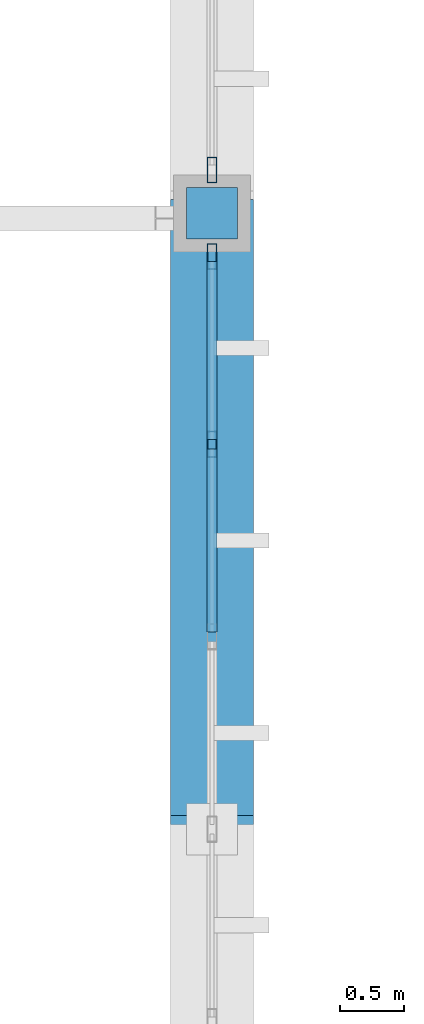
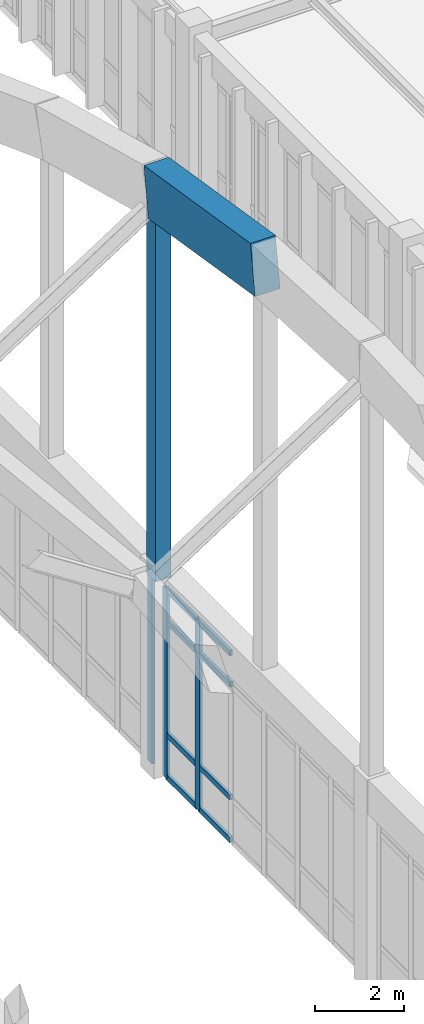
# One storey, part 152 of 236: 13 members, 2 elements without a shape of their own.
"""IFC4 building model written with IfcOpenShell, lengths in metres."""

import ifcopenshell
import ifcopenshell.guid

model = None  # the IFC model being written
_history = None  # IfcOwnerHistory: only IFC2X3 demands one
_inside = {}  # id of a spatial element -> (the spatial element, [elements in it])
_under = {}  # id of a project, library or spatial element -> (it, [spatial elements below it])
_declared = {}  # id of a project -> (the project, [libraries it declares])
_typed = {}  # id of a type object -> (the type object, [elements of that type])
_made_of = {}  # id of a material, layer set ... -> (it, [elements and type objects made of it])


def new_model(schema):
    """Start an empty IFC model of exactly this schema.

    Asked for "IFC4X3", IfcOpenShell would pick the latest addendum, in which some entities
    have other attributes; the version numbers below select the first issue.
    IFC2X3 requires an IfcOwnerHistory on every rooted entity: one is made here for all.
    """
    global model, _history
    if schema == "IFC4X3":
        model = ifcopenshell.file(schema_version=(4, 3, 0, 0))
    else:
        model = ifcopenshell.file(schema=schema)
    _inside.clear()
    _under.clear()
    _declared.clear()
    _typed.clear()
    _made_of.clear()
    _history = None
    if model.schema == "IFC2X3":
        org = make("IfcOrganization", Name="unknown")
        user = make(
            "IfcPersonAndOrganization",
            ThePerson=make("IfcPerson", FamilyName="unknown"),
            TheOrganization=org,
        )
        app = make(
            "IfcApplication",
            ApplicationDeveloper=org,
            Version="unknown",
            ApplicationFullName="unknown",
            ApplicationIdentifier="unknown",
        )
        _history = make(
            "IfcOwnerHistory",
            OwningUser=user,
            OwningApplication=app,
            ChangeAction="ADDED",
            CreationDate=0,
        )
    return model


def make(cls, **values):
    """One entity of the class cls with the attributes given. An attribute that is None is left unset."""
    return model.create_entity(
        cls, **{name: value for name, value in values.items() if value is not None}
    )


def rooted(cls, **values):
    """An entity with a GlobalId (a new one), such as an element, a storey or a relation."""
    return make(cls, GlobalId=ifcopenshell.guid.new(), OwnerHistory=_history, **values)


def si_unit(unit_type, name, prefix=None):
    """IfcSIUnit, for example si_unit("LENGTHUNIT", "METRE", prefix="MILLI")."""
    return make("IfcSIUnit", UnitType=unit_type, Prefix=prefix, Name=name)


def assignment(units):
    """IfcUnitAssignment: the units of a project."""
    return None if units is None else make("IfcUnitAssignment", Units=units)


def point(xyz):
    """IfcCartesianPoint."""
    return None if xyz is None else make("IfcCartesianPoint", Coordinates=xyz)


def direction(xyz):
    """IfcDirection."""
    return None if xyz is None else make("IfcDirection", DirectionRatios=xyz)


def frame(location, z_axis=None, x_axis=None):
    """IfcAxis2Placement3D, a coordinate frame: its origin and axes. An axis left out is left unset."""
    return make(
        "IfcAxis2Placement3D",
        Location=point(location),
        Axis=direction(z_axis),
        RefDirection=direction(x_axis),
    )


def frame_2d(location, x_axis=None):
    """IfcAxis2Placement2D, a coordinate frame in the plane: its origin and x axis."""
    return make(
        "IfcAxis2Placement2D", Location=point(location), RefDirection=direction(x_axis)
    )


def origin():
    """The frame at (0, 0, 0) with its axes left unset."""
    return frame((0.0, 0.0, 0.0))


def origin_2d():
    """The frame at (0, 0) in the plane with its x axis left unset."""
    return frame_2d((0.0, 0.0))


def place(relative_to, where):
    """IfcLocalPlacement: puts the frame where relative to a parent placement (None: the world)."""
    return make(
        "IfcLocalPlacement", PlacementRelTo=relative_to, RelativePlacement=where
    )


def context(
    kind, dimensions, precision=None, world=None, true_north=None, identifier=None
):
    """IfcGeometricRepresentationContext, for example the 3D "Model" context."""
    return make(
        "IfcGeometricRepresentationContext",
        ContextIdentifier=identifier,
        ContextType=kind,
        CoordinateSpaceDimension=dimensions,
        Precision=precision,
        WorldCoordinateSystem=world,
        TrueNorth=true_north,
    )


def subcontext(parent, identifier, kind, view, scale=None):
    """IfcGeometricRepresentationSubContext, for example "Body" below "Model"."""
    return make(
        "IfcGeometricRepresentationSubContext",
        ContextIdentifier=identifier,
        ContextType=kind,
        ParentContext=parent,
        TargetScale=scale,
        TargetView=view,
    )


def project(units=None, contexts=None):
    """IfcProject with its units and contexts."""
    return rooted(
        "IfcProject",
        Name="project",
        RepresentationContexts=contexts,
        UnitsInContext=assignment(units),
    )


def spatial(cls, under=None, at=None, **own):
    """A site, building, storey or space (cls), placed at a placement, below another one or the project."""
    s = rooted(cls, ObjectPlacement=at, **own)
    if under is not None:
        _under.setdefault(under.id(), (under, []))[1].append(s)
    return s


def profile(cls, at=None, kind="AREA", **sizes):
    """A parametric profile (cls). Its sizes go by their IFC names, for example OverallWidth=200.0."""
    return make(cls, ProfileType=kind, Position=at, **sizes)


def rectangle(**sizes):
    """IfcRectangleProfileDef."""
    return profile("IfcRectangleProfileDef", **sizes)


def hollow_rectangle(**sizes):
    """IfcRectangleHollowProfileDef."""
    return profile("IfcRectangleHollowProfileDef", **sizes)


def extrude(swept, where, along, depth):
    """IfcExtrudedAreaSolid: the profile swept, set in the frame where, extruded along a direction by depth."""
    return make(
        "IfcExtrudedAreaSolid",
        SweptArea=swept,
        Position=where,
        ExtrudedDirection=direction(along),
        Depth=depth,
    )


def shape(context_of_items, identifier, shape_type, items):
    """IfcShapeRepresentation: the items that make up one representation, for example the "Body"."""
    return make(
        "IfcShapeRepresentation",
        ContextOfItems=context_of_items,
        RepresentationIdentifier=identifier,
        RepresentationType=shape_type,
        Items=items,
    )


def material(Name=None, Category=None):
    """IfcMaterial."""
    return make("IfcMaterial", Name=Name, Category=Category)


def layer(
    of_material, thickness, ventilated=None, Name=None, Category=None, Priority=None
):
    """IfcMaterialLayer: one layer of a wall or slab, of a material (None: an air gap)."""
    return make(
        "IfcMaterialLayer",
        Material=of_material,
        LayerThickness=thickness,
        IsVentilated=ventilated,
        Name=Name,
        Category=Category,
        Priority=Priority,
    )


def layer_set(layers, Name=None):
    """IfcMaterialLayerSet."""
    return make("IfcMaterialLayerSet", MaterialLayers=layers, LayerSetName=Name)


def material_profile(
    of_material, cross_section, Name=None, Category=None, Priority=None
):
    """IfcMaterialProfile: a cross section and its material."""
    return make(
        "IfcMaterialProfile",
        Name=Name,
        Material=of_material,
        Profile=cross_section,
        Priority=Priority,
        Category=Category,
    )


def profile_set(profiles, Name=None, composite=None):
    """IfcMaterialProfileSet."""
    return make(
        "IfcMaterialProfileSet",
        Name=Name,
        MaterialProfiles=profiles,
        CompositeProfile=composite,
    )


def made_of(thing, what):
    """Note that an element or type object is made of a material, layer set ...; save() writes the relation."""
    if what is not None:
        _made_of.setdefault(what.id(), (what, []))[1].append(thing)
    return thing


def type_object(cls, material=None, **own):
    """A type object (cls), such as IfcWallType, which elements share."""
    return made_of(rooted(cls, **own), material)


def element(
    cls,
    number,
    at=None,
    inside=None,
    cuts=None,
    type_object=None,
    material=None,
    context=None,
    identifier="Body",
    shape_type=None,
    held_by="IfcProductDefinitionShape",
    body=None,
    shapes=None,
    **own,
):
    """One element of the class cls, such as IfcWall. Its Tag is "e" and its number.

    at: its placement. inside: the storey or other place that contains it. cuts: it is an
    opening in that element (IfcRelVoidsElement). A single representation is given by context,
    identifier, shape_type and body (its items); several are given by shapes. held_by: the class
    of the entity that holds the representations. save() writes the other relations.
    """
    e = rooted(cls, Tag="e%d" % number, ObjectPlacement=at, **own)
    if body is not None:
        shapes = [shape(context, identifier, shape_type, body)]
    if shapes is not None:
        e.Representation = make(held_by, Representations=shapes)
    if inside is not None:
        _inside.setdefault(inside.id(), (inside, []))[1].append(e)
    if cuts is not None:
        rooted(
            "IfcRelVoidsElement", RelatingBuildingElement=cuts, RelatedOpeningElement=e
        )
    if type_object is not None:
        _typed.setdefault(type_object.id(), (type_object, []))[1].append(e)
    return made_of(e, material)


def aggregate(whole, parts):
    """IfcRelAggregates: a whole, such as a stair, and the parts it consists of."""
    return rooted("IfcRelAggregates", RelatingObject=whole, RelatedObjects=parts)


def save(model, path):
    """Write the relations noted so far, then the file.

    IfcRelAggregates (storeys below a building ...), IfcRelContainedInSpatialStructure (elements
    in a storey), IfcRelDefinesByType, IfcRelAssociatesMaterial and IfcRelDeclares: one each for
    every whole, place, type object, material and project.
    """
    for whole, parts in _under.values():
        aggregate(whole, parts)
    for where, things in _inside.values():
        rooted(
            "IfcRelContainedInSpatialStructure",
            RelatedElements=things,
            RelatingStructure=where,
        )
    for kind, things in _typed.values():
        rooted("IfcRelDefinesByType", RelatedObjects=things, RelatingType=kind)
    for what, things in _made_of.values():
        rooted("IfcRelAssociatesMaterial", RelatedObjects=things, RelatingMaterial=what)
    for by, libraries in _declared.values():
        rooted("IfcRelDeclares", RelatingContext=by, RelatedDefinitions=libraries)
    model.write(path)


model = new_model("IFC4")

# Units and contexts
model_context = context("Model", 3, precision=1e-05, world=origin(), true_north=direction((0.0, 1.0)))
body_context = subcontext(model_context, "Body", "Model", "MODEL_VIEW")
ifc_project = project(units=[si_unit("LENGTHUNIT", "METRE"), si_unit("AREAUNIT", "SQUARE_METRE"), si_unit("VOLUMEUNIT", "CUBIC_METRE"), si_unit("PLANEANGLEUNIT", "RADIAN"), si_unit("MASSUNIT", "GRAM", prefix="KILO")], contexts=[model_context])

# Site, building, storey
site_placement = place(None, origin())
site = spatial("IfcSite", under=ifc_project, at=site_placement, CompositionType="ELEMENT")
building_placement = place(site_placement, origin())
building = spatial("IfcBuilding", under=site, at=building_placement, Name="Pandanus Reach Market Hall", CompositionType="ELEMENT")
storey_placement = place(building_placement, frame((0.0, 0.0, 5.39990234375)))
storey = spatial("IfcBuildingStorey", under=building, at=storey_placement, Name="L01", CompositionType="ELEMENT", Elevation=5.39990234375)

# Members
ifc_material_1 = material(Name="Concrete N50 (50 MPa)", Category="concrete")
ifc_material_profile_1 = material_profile(ifc_material_1, rectangle(XDim=0.64990234375, YDim=1.35009765625, at=origin_2d()), Name="RC650x1350", Category="LoadBearing")
ifc_profile_set_1 = profile_set([ifc_material_profile_1], Name="Concrete N50 (50 MPa)")
member_type_1 = type_object("IfcMemberType", Name="AR-RC650-E", PredefinedType="CHORD", material=ifc_profile_set_1)
member_1_placement = place(storey_placement, frame((132.0, 62.39990234375, 16.724609375), z_axis=(0.0, 0.987485724156, -0.15770841635), x_axis=(-1.0, 0.0, 0.0)))
element("IfcMember", 1, at=member_1_placement, inside=storey, type_object=member_type_1, Name="Parabolic arch top chord A8.8", PredefinedType="CHORD", context=body_context, shape_type="SweptSolid", body=[
    extrude(rectangle(XDim=0.64990234375, YDim=1.35009765625, at=origin_2d()), origin(), (0.0, 0.0, 1.0), 4.86083984375),
])
ifc_material_profile_2 = material_profile(ifc_material_1, rectangle(XDim=0.39990234375, YDim=0.39990234375, at=origin_2d()), Name="RC400x400", Category="LoadBearing")
ifc_profile_set_2 = profile_set([ifc_material_profile_2], Name="Concrete N50 (50 MPa)")
member_type_2 = type_object("IfcMemberType", Name="AR-WEB400-E", PredefinedType="STRUT", material=ifc_profile_set_2)
member_2_placement = place(storey_placement, frame((132.0, 67.199951171875, 5.3251953125), z_axis=(0.0, 0.0, 1.0), x_axis=(1.0, 0.0, 0.0)))
element("IfcMember", 2, at=member_2_placement, inside=storey, type_object=member_type_2, Name="Arch truss vertical web strut A8.8", PredefinedType="STRUT", context=body_context, shape_type="SweptSolid", body=[
    extrude(rectangle(XDim=0.39990234375, YDim=0.39990234375, at=origin_2d()), origin(), (0.0, 0.0, 1.0), 10.6328125),
])

# Curtain wall, members
ifc_material_2 = material(Name="Bronze anodised aluminium and low-E glass", Category="aluminium")
ifc_layer = layer(ifc_material_2, 0.199951171875, Name="CW-05")
ifc_layer_set = layer_set([ifc_layer], Name="Bronze anodised aluminium and low-E glass")
curtain_wall_type = type_object("IfcCurtainWallType", Name="CW-05", PredefinedType="NOTDEFINED", material=ifc_layer_set)
curtain_wall_1_placement = place(storey_placement, origin())
curtain_wall_1 = element("IfcCurtainWall", 3, at=curtain_wall_1_placement, inside=storey, type_object=curtain_wall_type, Name="Glazed curtain wall CW-05 CW-0031", PredefinedType="NOTDEFINED")
ifc_material_3 = material(Name="Bronze anodised aluminium", Category="aluminium")
ifc_material_profile_3 = material_profile(ifc_material_3, hollow_rectangle(XDim=0.074951171875, YDim=0.199951171875, WallThickness=0.00439453125, at=origin_2d()), Name="ALU75x200", Category="LoadBearing")
ifc_profile_set_3 = profile_set([ifc_material_profile_3], Name="Bronze anodised aluminium")
member_type_3 = type_object("IfcMemberType", Name="CW-M2", PredefinedType="MULLION", material=ifc_profile_set_3)
member_3_placement = place(storey_placement, frame((132.0, 65.39990234375, 0.0), z_axis=(0.0, 0.0, 1.0), x_axis=(-1.0, 0.0, 0.0)))
member_3 = element("IfcMember", 4, at=member_3_placement, type_object=member_type_3, Name="CW-05 mullion 6", PredefinedType="MULLION", context=body_context, shape_type="SweptSolid", body=[
    extrude(hollow_rectangle(XDim=0.074951171875, YDim=0.199951171875, WallThickness=0.00439453125, at=origin_2d()), origin(), (0.0, 0.0, 1.0), 5.2001953125),
])
member_4_placement = place(storey_placement, frame((132.0, 66.862548828125, 0.0), z_axis=(0.0, 0.0, 1.0), x_axis=(-1.0, 0.0, 0.0)))
member_4 = element("IfcMember", 5, at=member_4_placement, type_object=member_type_3, Name="CW-05 mullion 7", PredefinedType="MULLION", context=body_context, shape_type="SweptSolid", body=[
    extrude(hollow_rectangle(XDim=0.074951171875, YDim=0.199951171875, WallThickness=0.00439453125, at=origin_2d()), origin(), (0.0, 0.0, 1.0), 5.2001953125),
])

# Curtain wall, member
curtain_wall_2_placement = place(storey_placement, origin())
curtain_wall_2 = element("IfcCurtainWall", 6, at=curtain_wall_2_placement, inside=storey, type_object=curtain_wall_type, Name="Glazed curtain wall CW-05 CW-0033", PredefinedType="NOTDEFINED")
member_5_placement = place(storey_placement, frame((132.0, 67.53759765625, 0.0), z_axis=(0.0, 0.0, 1.0), x_axis=(-1.0, 0.0, 0.0)))
member_5 = element("IfcMember", 7, at=member_5_placement, type_object=member_type_3, Name="CW-05 mullion 1", PredefinedType="MULLION", context=body_context, shape_type="SweptSolid", body=[
    extrude(hollow_rectangle(XDim=0.074951171875, YDim=0.199951171875, WallThickness=0.00439453125, at=origin_2d()), origin(), (0.0, 0.0, 1.0), 5.2001953125),
])
aggregate(curtain_wall_2, [member_5])

# Member
ifc_material_profile_4 = material_profile(ifc_material_3, hollow_rectangle(XDim=0.074951171875, YDim=0.14990234375, WallThickness=0.00439453125, at=origin_2d()), Name="ALU75x150", Category="LoadBearing")
ifc_profile_set_4 = profile_set([ifc_material_profile_4], Name="Bronze anodised aluminium")
member_type_4 = type_object("IfcMemberType", Name="CW-T2", PredefinedType="USERDEFINED", material=ifc_profile_set_4)
member_6_placement = place(storey_placement, frame((132.0, 63.9375, 0.03759765625), z_axis=(0.0, 1.0, 0.0), x_axis=(-1.0, 0.0, 0.0)))
member_6 = element("IfcMember", 8, at=member_6_placement, type_object=member_type_4, Name="CW-05 transom 5.1", ObjectType="TRANSOM", PredefinedType="USERDEFINED", context=body_context, shape_type="SweptSolid", body=[
    extrude(hollow_rectangle(XDim=0.074951171875, YDim=0.14990234375, WallThickness=0.00439453125, at=origin_2d()), origin(), (0.0, 0.0, 1.0), 1.425048828125),
])

member_7_placement = place(storey_placement, frame((132.0, 63.9375, 1.2001953125), z_axis=(0.0, 1.0, 0.0), x_axis=(-1.0, 0.0, 0.0)))
member_7 = element("IfcMember", 9, at=member_7_placement, type_object=member_type_4, Name="CW-05 transom 5.2", ObjectType="TRANSOM", PredefinedType="USERDEFINED", context=body_context, shape_type="SweptSolid", body=[
    extrude(hollow_rectangle(XDim=0.074951171875, YDim=0.14990234375, WallThickness=0.00439453125, at=origin_2d()), origin(), (0.0, 0.0, 1.0), 1.425048828125),
])

member_8_placement = place(storey_placement, frame((132.0, 63.9375, 4.300048828125), z_axis=(0.0, 1.0, 0.0), x_axis=(-1.0, 0.0, 0.0)))
member_8 = element("IfcMember", 10, at=member_8_placement, type_object=member_type_4, Name="CW-05 transom 5.3", ObjectType="TRANSOM", PredefinedType="USERDEFINED", context=body_context, shape_type="SweptSolid", body=[
    extrude(hollow_rectangle(XDim=0.074951171875, YDim=0.14990234375, WallThickness=0.00439453125, at=origin_2d()), origin(), (0.0, 0.0, 1.0), 1.425048828125),
])

member_9_placement = place(storey_placement, frame((132.0, 63.9375, 5.16259765625), z_axis=(0.0, 1.0, 0.0), x_axis=(-1.0, 0.0, 0.0)))
member_9 = element("IfcMember", 11, at=member_9_placement, type_object=member_type_4, Name="CW-05 transom 5.4", ObjectType="TRANSOM", PredefinedType="USERDEFINED", context=body_context, shape_type="SweptSolid", body=[
    extrude(hollow_rectangle(XDim=0.074951171875, YDim=0.14990234375, WallThickness=0.00439453125, at=origin_2d()), origin(), (0.0, 0.0, 1.0), 1.425048828125),
])

member_10_placement = place(storey_placement, frame((132.0, 65.4375, 0.03759765625), z_axis=(0.0, 1.0, 0.0), x_axis=(-1.0, 0.0, 0.0)))
member_10 = element("IfcMember", 12, at=member_10_placement, type_object=member_type_4, Name="CW-05 transom 6.1", ObjectType="TRANSOM", PredefinedType="USERDEFINED", context=body_context, shape_type="SweptSolid", body=[
    extrude(hollow_rectangle(XDim=0.074951171875, YDim=0.14990234375, WallThickness=0.00439453125, at=origin_2d()), origin(), (0.0, 0.0, 1.0), 1.387451171875),
])

member_11_placement = place(storey_placement, frame((132.0, 65.4375, 1.2001953125), z_axis=(0.0, 1.0, 0.0), x_axis=(-1.0, 0.0, 0.0)))
member_11 = element("IfcMember", 13, at=member_11_placement, type_object=member_type_4, Name="CW-05 transom 6.2", ObjectType="TRANSOM", PredefinedType="USERDEFINED", context=body_context, shape_type="SweptSolid", body=[
    extrude(hollow_rectangle(XDim=0.074951171875, YDim=0.14990234375, WallThickness=0.00439453125, at=origin_2d()), origin(), (0.0, 0.0, 1.0), 1.387451171875),
])

member_12_placement = place(storey_placement, frame((132.0, 65.4375, 4.300048828125), z_axis=(0.0, 1.0, 0.0), x_axis=(-1.0, 0.0, 0.0)))
member_12 = element("IfcMember", 14, at=member_12_placement, type_object=member_type_4, Name="CW-05 transom 6.3", ObjectType="TRANSOM", PredefinedType="USERDEFINED", context=body_context, shape_type="SweptSolid", body=[
    extrude(hollow_rectangle(XDim=0.074951171875, YDim=0.14990234375, WallThickness=0.00439453125, at=origin_2d()), origin(), (0.0, 0.0, 1.0), 1.387451171875),
])

member_13_placement = place(storey_placement, frame((132.0, 65.4375, 5.16259765625), z_axis=(0.0, 1.0, 0.0), x_axis=(-1.0, 0.0, 0.0)))
member_13 = element("IfcMember", 15, at=member_13_placement, type_object=member_type_4, Name="CW-05 transom 6.4", ObjectType="TRANSOM", PredefinedType="USERDEFINED", context=body_context, shape_type="SweptSolid", body=[
    extrude(hollow_rectangle(XDim=0.074951171875, YDim=0.14990234375, WallThickness=0.00439453125, at=origin_2d()), origin(), (0.0, 0.0, 1.0), 1.387451171875),
])

aggregate(curtain_wall_1, [member_3, member_4, member_6, member_7, member_8, member_9, member_10, member_11, member_12, member_13])

save(model, "model.ifc")
